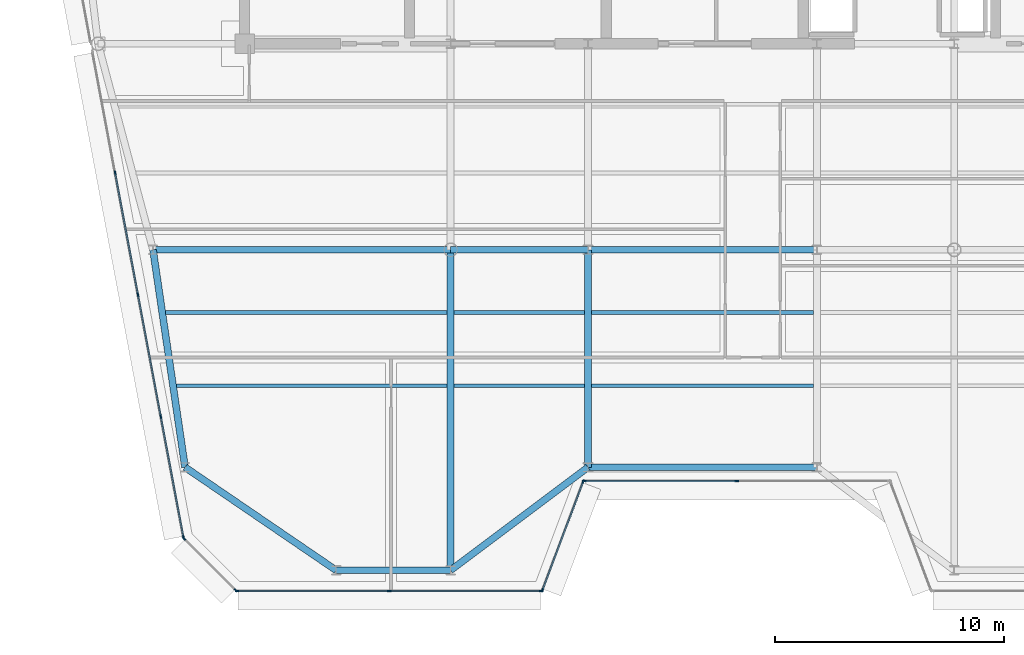
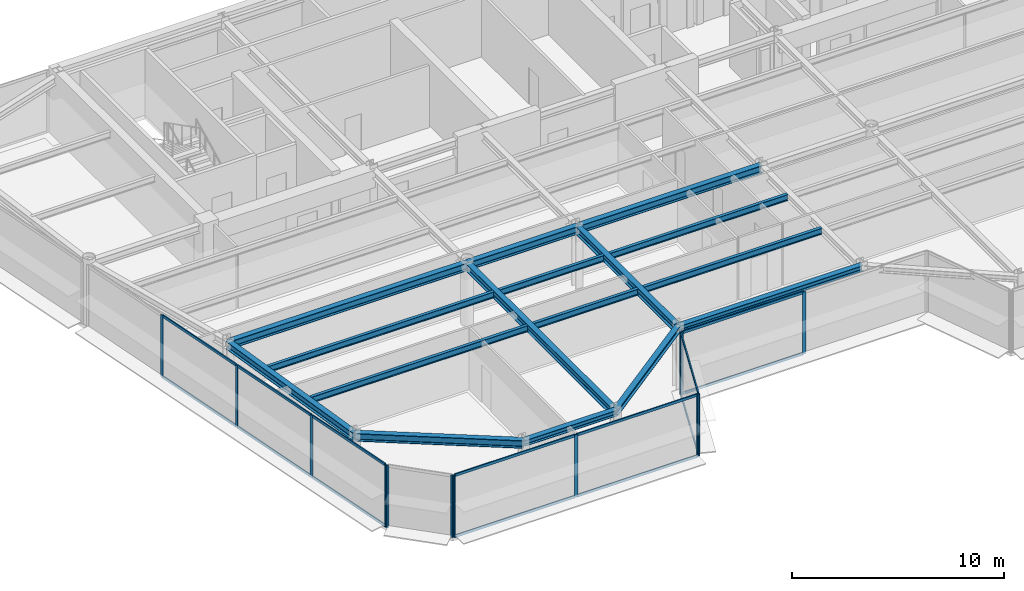
# One storey, part 3 of 20: 27 members, 16 beams, 5 elements without a shape of their own.
"""IFC4 building model written with IfcOpenShell, lengths in metres."""

from ifc_helpers import new_model, si_unit, direction, frame, origin, origin_2d, place, context, subcontext, project, spatial, rectangle, i_section, extrude, source, transform, mapped, material, layer, layer_set, material_profile, profile_set, type_object, element, aggregate, save


model = new_model("IFC4")

# Units and contexts
model_context = context("Model", 3, precision=1e-05, world=origin(), true_north=direction((0.0, 1.0)))
body_context = subcontext(model_context, "Body", "Model", "MODEL_VIEW")
ifc_project = project(units=[si_unit("LENGTHUNIT", "METRE"), si_unit("AREAUNIT", "SQUARE_METRE"), si_unit("VOLUMEUNIT", "CUBIC_METRE"), si_unit("PLANEANGLEUNIT", "RADIAN"), si_unit("MASSUNIT", "GRAM", prefix="KILO")], contexts=[model_context])

# Site, building, storey
site_placement = place(None, origin())
site = spatial("IfcSite", under=ifc_project, at=site_placement, CompositionType="ELEMENT")
building_placement = place(site_placement, origin())
building = spatial("IfcBuilding", under=site, at=building_placement, Name="Vaeldorn Concourse Tower", CompositionType="ELEMENT")
storey_placement = place(building_placement, frame((0.0, 0.0, 295.39990234375)))
storey = spatial("IfcBuildingStorey", under=building, at=storey_placement, Name="L76", CompositionType="ELEMENT", Elevation=295.39990234375)

# Beams
ifc_material_1 = material(Name="Steel S355", Category="steel")
ifc_material_profile_1 = material_profile(ifc_material_1, i_section(OverallWidth=0.300048828125, OverallDepth=0.449951171875, WebThickness=0.013916015625, FlangeThickness=0.02587890625, FilletRadius=0.027099609375, at=origin_2d()), Name="HEB 450")
ifc_profile_set_1 = profile_set([ifc_material_profile_1], Name="Steel S355")
beam_type_1 = type_object("IfcBeamType", Name="BM-PG-HEB450", PredefinedType="BEAM", material=ifc_profile_set_1)
shared_shape_1 = source(origin(), body_context, "Body", "SweptSolid", [
    extrude(i_section(OverallWidth=0.300048828125, OverallDepth=0.449951171875, WebThickness=0.013916015625, FlangeThickness=0.02587890625, FilletRadius=0.027099609375, at=origin_2d()), origin(), (0.0, 0.0, 1.0), 6.0),
])
beam_1_placement = place(storey_placement, frame((23.0, 27.5, 3.35498046875), z_axis=(1.0, 0.0, 0.0), x_axis=(0.0, 1.0, 0.0)))
element("IfcBeam", 1, at=beam_1_placement, inside=storey, type_object=beam_type_1, Name="Beam BM-L76-C-TW1-C-TW2", PredefinedType="BEAM", context=body_context, shape_type="MappedRepresentation", body=[
    mapped(shared_shape_1, transform((0.0, 0.0, 0.0), scale=1.0)),
])
shared_shape_2 = source(origin(), body_context, "Body", "SweptSolid", [
    extrude(i_section(OverallWidth=0.300048828125, OverallDepth=0.449951171875, WebThickness=0.013916015625, FlangeThickness=0.02587890625, FilletRadius=0.027099609375, at=origin_2d()), origin(), (0.0, 0.0, 1.0), 10.0),
])
beam_2_placement = place(storey_placement, frame((29.0, 27.5, 3.35498046875), z_axis=(1.0, 0.0, 0.0), x_axis=(0.0, 1.0, 0.0)))
element("IfcBeam", 2, at=beam_2_placement, inside=storey, type_object=beam_type_1, Name="Beam BM-L76-C-TW2-C-TW3", PredefinedType="BEAM", context=body_context, shape_type="MappedRepresentation", body=[
    mapped(shared_shape_2, transform((0.0, 0.0, 0.0), scale=1.0)),
])
ifc_material_profile_2 = material_profile(ifc_material_1, i_section(OverallWidth=0.169921875, OverallDepth=0.360107421875, WebThickness=0.008056640625, FlangeThickness=0.0126953125, FilletRadius=0.01806640625, at=origin_2d()), Name="IPE 360")
ifc_profile_set_2 = profile_set([ifc_material_profile_2], Name="Steel S355")
beam_type_2 = type_object("IfcBeamType", Name="BM-JS-IPE360", PredefinedType="JOIST", material=ifc_profile_set_2)
shared_shape_3 = source(origin(), body_context, "Body", "SweptSolid", [
    extrude(i_section(OverallWidth=0.169921875, OverallDepth=0.360107421875, WebThickness=0.008056640625, FlangeThickness=0.0126953125, FilletRadius=0.01806640625, at=origin_2d()), origin(), (0.0, 0.0, 1.0), 5.7001953125),
])
for number, where, z_axis, x_axis, name in (
    (3, (23.14990234375, 21.56005859375, 3.400146484375), (1.0, 0.0, 0.0), (0.0, 1.0, 0.0), "Beam JS-L76-W2-215"),
    (4, (23.14990234375, 24.760009765625, 3.400146484375), (1.0, 0.0, 0.0), (0.0, 1.0, 0.0), "Beam JS-L76-W2-247"),
):
    element("IfcBeam", number, at=place(storey_placement, frame(where, z_axis=z_axis, x_axis=x_axis)), inside=storey, type_object=beam_type_2, Name=name, PredefinedType="JOIST", context=body_context, shape_type="MappedRepresentation", body=[
        mapped(shared_shape_3, transform((0.0, 0.0, 0.0), scale=1.0)),
    ])
shared_shape_4 = source(origin(), body_context, "Body", "SweptSolid", [
    extrude(i_section(OverallWidth=0.169921875, OverallDepth=0.360107421875, WebThickness=0.008056640625, FlangeThickness=0.0126953125, FilletRadius=0.01806640625, at=origin_2d()), origin(), (0.0, 0.0, 1.0), 9.7001953125),
])
for number, where, z_axis, x_axis, name in (
    (5, (29.14990234375, 21.56005859375, 3.400146484375), (1.0, 0.0, 0.0), (0.0, 1.0, 0.0), "Beam JS-L76-C-215"),
    (6, (29.14990234375, 24.760009765625, 3.400146484375), (1.0, 0.0, 0.0), (0.0, 1.0, 0.0), "Beam JS-L76-C-247"),
):
    element("IfcBeam", number, at=place(storey_placement, frame(where, z_axis=z_axis, x_axis=x_axis)), inside=storey, type_object=beam_type_2, Name=name, PredefinedType="JOIST", context=body_context, shape_type="MappedRepresentation", body=[
        mapped(shared_shape_4, transform((0.0, 0.0, 0.0), scale=1.0)),
    ])
ifc_material_profile_3 = material_profile(ifc_material_1, i_section(OverallWidth=0.300048828125, OverallDepth=0.340087890625, WebThickness=0.011962890625, FlangeThickness=0.021484375, FilletRadius=0.027099609375, at=origin_2d()), Name="HEB 340")
ifc_profile_set_3 = profile_set([ifc_material_profile_3], Name="Steel S355")
beam_type_3 = type_object("IfcBeamType", Name="BM-SP-HEB340", PredefinedType="SPANDREL", material=ifc_profile_set_3)
shared_shape_5 = source(origin(), body_context, "Body", "SweptSolid", [
    extrude(i_section(OverallWidth=0.300048828125, OverallDepth=0.340087890625, WebThickness=0.011962890625, FlangeThickness=0.021484375, FilletRadius=0.027099609375, at=origin_2d()), origin(), (0.0, 0.0, 1.0), 5.0),
])
beam_3_placement = place(storey_placement, frame((18.0, 13.5, 3.41015625), z_axis=(1.0, 0.0, 0.0), x_axis=(0.0, 1.0, 0.0)))
element("IfcBeam", 7, at=beam_3_placement, inside=storey, type_object=beam_type_3, Name="Beam BM-L76-C-SF1-C-SF2", PredefinedType="SPANDREL", context=body_context, shape_type="MappedRepresentation", body=[
    mapped(shared_shape_5, transform((0.0, 0.0, 0.0), scale=1.0)),
])
shared_shape_6 = source(origin(), body_context, "Body", "SweptSolid", [
    extrude(i_section(OverallWidth=0.300048828125, OverallDepth=0.340087890625, WebThickness=0.011962890625, FlangeThickness=0.021484375, FilletRadius=0.027099609375, at=origin_2d()), origin(), (0.0, 0.0, 1.0), 7.5),
])
beam_4_placement = place(storey_placement, frame((23.0, 13.5, 3.41015625), z_axis=(0.8, 0.6, 0.0), x_axis=(-0.6, 0.8, 0.0)))
element("IfcBeam", 8, at=beam_4_placement, inside=storey, type_object=beam_type_3, Name="Beam BM-L76-C-SF2-C-SF3", PredefinedType="SPANDREL", context=body_context, shape_type="MappedRepresentation", body=[
    mapped(shared_shape_6, transform((0.0, 0.0, 0.0), scale=1.0)),
])
shared_shape_7 = source(origin(), body_context, "Body", "SweptSolid", [
    extrude(i_section(OverallWidth=0.300048828125, OverallDepth=0.340087890625, WebThickness=0.011962890625, FlangeThickness=0.021484375, FilletRadius=0.027099609375, at=origin_2d()), origin(), (0.0, 0.0, 1.0), 10.0),
])
beam_5_placement = place(storey_placement, frame((29.0, 18.0, 3.41015625), z_axis=(1.0, 0.0, 0.0), x_axis=(0.0, 1.0, 0.0)))
element("IfcBeam", 9, at=beam_5_placement, inside=storey, type_object=beam_type_3, Name="Beam BM-L76-C-SF3-C-SF4", PredefinedType="SPANDREL", context=body_context, shape_type="MappedRepresentation", body=[
    mapped(shared_shape_7, transform((0.0, 0.0, 0.0), scale=1.0)),
])
shared_shape_8 = source(origin(), body_context, "Body", "SweptSolid", [
    extrude(i_section(OverallWidth=0.169921875, OverallDepth=0.360107421875, WebThickness=0.008056640625, FlangeThickness=0.0126953125, FilletRadius=0.01806640625, at=origin_2d()), origin(), (0.0, 0.0, 1.0), 11.82470703125),
])
beam_6_placement = place(storey_placement, frame((11.025390625, 21.56005859375, 3.400146484375), z_axis=(1.0, 0.0, 0.0), x_axis=(0.0, 1.0, 0.0)))
element("IfcBeam", 10, at=beam_6_placement, inside=storey, type_object=beam_type_2, Name="Beam JS-L76-W1-215", PredefinedType="JOIST", context=body_context, shape_type="MappedRepresentation", body=[
    mapped(shared_shape_8, transform((0.0, 0.0, 0.0), scale=1.0)),
])
shared_shape_9 = source(origin(), body_context, "Body", "SweptSolid", [
    extrude(i_section(OverallWidth=0.169921875, OverallDepth=0.360107421875, WebThickness=0.008056640625, FlangeThickness=0.0126953125, FilletRadius=0.01806640625, at=origin_2d()), origin(), (0.0, 0.0, 1.0), 12.29638671875),
])
beam_7_placement = place(storey_placement, frame((10.5537109375, 24.760009765625, 3.400146484375), z_axis=(1.0, 0.0, 0.0), x_axis=(0.0, 1.0, 0.0)))
element("IfcBeam", 11, at=beam_7_placement, inside=storey, type_object=beam_type_2, Name="Beam JS-L76-W1-247", PredefinedType="JOIST", context=body_context, shape_type="MappedRepresentation", body=[
    mapped(shared_shape_9, transform((0.0, 0.0, 0.0), scale=1.0)),
])
shared_shape_10 = source(origin(), body_context, "Body", "SweptSolid", [
    extrude(i_section(OverallWidth=0.300048828125, OverallDepth=0.449951171875, WebThickness=0.013916015625, FlangeThickness=0.02587890625, FilletRadius=0.027099609375, at=origin_2d()), origin(), (0.0, 0.0, 1.0), 14.0),
])
beam_8_placement = place(storey_placement, frame((23.0, 13.5, 3.35498046875), z_axis=(0.0, 1.0, 0.0), x_axis=(-1.0, 0.0, 0.0)))
element("IfcBeam", 12, at=beam_8_placement, inside=storey, type_object=beam_type_1, Name="Beam BM-L76-C-SF2-C-TW1", PredefinedType="BEAM", context=body_context, shape_type="MappedRepresentation", body=[
    mapped(shared_shape_10, transform((0.0, 0.0, 0.0), scale=1.0)),
])
shared_shape_11 = source(origin(), body_context, "Body", "SweptSolid", [
    extrude(i_section(OverallWidth=0.300048828125, OverallDepth=0.449951171875, WebThickness=0.013916015625, FlangeThickness=0.02587890625, FilletRadius=0.027099609375, at=origin_2d()), origin(), (0.0, 0.0, 1.0), 13.0),
])
beam_9_placement = place(storey_placement, frame((10.0, 27.5, 3.35498046875), z_axis=(1.0, 0.0, 0.0), x_axis=(0.0, 1.0, 0.0)))
element("IfcBeam", 13, at=beam_9_placement, inside=storey, type_object=beam_type_1, Name="Beam BM-L76-C-FLW1-C-TW1", PredefinedType="BEAM", context=body_context, shape_type="MappedRepresentation", body=[
    mapped(shared_shape_11, transform((0.0, 0.0, 0.0), scale=1.0)),
])
shared_shape_12 = source(origin(), body_context, "Body", "SweptSolid", [
    extrude(i_section(OverallWidth=0.300048828125, OverallDepth=0.449951171875, WebThickness=0.013916015625, FlangeThickness=0.02587890625, FilletRadius=0.027099609375, at=origin_2d()), origin(), (0.0, 0.0, 1.0), 9.6025390625),
])
beam_10_placement = place(storey_placement, frame((10.0, 27.5, 3.35498046875), z_axis=(0.145783835977, -0.989316467652, 0.0), x_axis=(0.989316467652, 0.145783835977, 0.0)))
element("IfcBeam", 14, at=beam_10_placement, inside=storey, type_object=beam_type_1, Name="Beam BM-L76-C-FLW1-C-FLW2", PredefinedType="BEAM", context=body_context, shape_type="MappedRepresentation", body=[
    mapped(shared_shape_12, transform((0.0, 0.0, 0.0), scale=1.0)),
])
shared_shape_13 = source(origin(), body_context, "Body", "SweptSolid", [
    extrude(i_section(OverallWidth=0.300048828125, OverallDepth=0.449951171875, WebThickness=0.013916015625, FlangeThickness=0.02587890625, FilletRadius=0.027099609375, at=origin_2d()), origin(), (0.0, 0.0, 1.0), 7.98828125),
])
beam_11_placement = place(storey_placement, frame((18.0, 13.5, 3.35498046875), z_axis=(-0.826231222393, 0.56333113454, 0.0), x_axis=(-0.56333113454, -0.826231222393, 0.0)))
element("IfcBeam", 15, at=beam_11_placement, inside=storey, type_object=beam_type_1, Name="Beam BM-L76-C-SF1-C-FLW2", PredefinedType="BEAM", context=body_context, shape_type="MappedRepresentation", body=[
    mapped(shared_shape_13, transform((0.0, 0.0, 0.0), scale=1.0)),
])
shared_shape_14 = source(origin(), body_context, "Body", "SweptSolid", [
    extrude(i_section(OverallWidth=0.300048828125, OverallDepth=0.449951171875, WebThickness=0.013916015625, FlangeThickness=0.02587890625, FilletRadius=0.027099609375, at=origin_2d()), origin(), (0.0, 0.0, 1.0), 9.5),
])
beam_12_placement = place(storey_placement, frame((29.0, 18.0, 3.35498046875), z_axis=(0.0, 1.0, 0.0), x_axis=(-1.0, 0.0, 0.0)))
element("IfcBeam", 16, at=beam_12_placement, inside=storey, type_object=beam_type_1, Name="Beam BM-L76-C-SF3-C-TW2", PredefinedType="BEAM", context=body_context, shape_type="MappedRepresentation", body=[
    mapped(shared_shape_14, transform((0.0, 0.0, 0.0), scale=1.0)),
])

# Curtain wall, members
ifc_material_2 = material(Name="Anodised Bronze Aluminium", Category="aluminium")
ifc_layer = layer(ifc_material_2, 0.179931640625)
ifc_layer_set = layer_set([ifc_layer], Name="Anodised Bronze Aluminium")
curtain_wall_type = type_object("IfcCurtainWallType", Name="CW-SYS-05", PredefinedType="NOTDEFINED", material=ifc_layer_set)
curtain_wall_1_placement = place(storey_placement, origin())
curtain_wall_1 = element("IfcCurtainWall", 17, at=curtain_wall_1_placement, inside=storey, type_object=curtain_wall_type, Name="Unitised Curtain Wall CW-L76-E02-1", PredefinedType="NOTDEFINED")
ifc_material_profile_4 = material_profile(ifc_material_2, rectangle(XDim=0.06494140625, YDim=0.14990234375, at=origin_2d()), Name="CWT 65x150")
ifc_profile_set_4 = profile_set([ifc_material_profile_4], Name="Anodised Bronze Aluminium")
member_type_1 = type_object("IfcMemberType", Name="CWT-BRONZE-150", PredefinedType="USERDEFINED", material=ifc_profile_set_4)
shared_shape_15 = source(origin(), body_context, "Body", "SweptSolid", [
    extrude(rectangle(XDim=0.06494140625, YDim=0.14990234375, at=origin_2d()), origin(), (0.0, 0.0, 1.0), 4.996337890625),
])
member_1_placement = place(storey_placement, frame((27.022705078125, 12.660888671875, 0.03271484375), z_axis=(0.351134151405, 0.936325161318, 0.0), x_axis=(-0.936325161318, 0.351134151405, 0.0)))
member_1 = element("IfcMember", 18, at=member_1_placement, type_object=member_type_1, Name="CW-05 transom 1.1", ObjectType="TRANSOM", PredefinedType="USERDEFINED", context=body_context, shape_type="MappedRepresentation", body=[
    mapped(shared_shape_15, transform((0.0, 0.0, 0.0), scale=1.0)),
])
member_2_placement = place(storey_placement, frame((27.022705078125, 12.660888671875, 3.547607421875), z_axis=(0.351134151405, 0.936325161318, 0.0), x_axis=(-0.936325161318, 0.351134151405, 0.0)))
member_2 = element("IfcMember", 19, at=member_2_placement, type_object=member_type_1, Name="CW-05 transom 1.2", ObjectType="TRANSOM", PredefinedType="USERDEFINED", context=body_context, shape_type="MappedRepresentation", body=[
    mapped(shared_shape_15, transform((0.0, 0.0, 0.0), scale=1.0)),
])

curtain_wall_2_placement = place(storey_placement, origin())
curtain_wall_2 = element("IfcCurtainWall", 20, at=curtain_wall_2_placement, inside=storey, type_object=curtain_wall_type, Name="Unitised Curtain Wall CW-L76-E03-1", PredefinedType="NOTDEFINED")
shared_shape_16 = source(origin(), body_context, "Body", "SweptSolid", [
    extrude(rectangle(XDim=0.06494140625, YDim=0.14990234375, at=origin_2d()), origin(), (0.0, 0.0, 1.0), 6.6025390625),
])
member_3_placement = place(storey_placement, frame((28.864990234375, 17.39990234375, 0.03271484375), z_axis=(1.0, 0.0, 0.0), x_axis=(0.0, 1.0, 0.0)))
member_3 = element("IfcMember", 21, at=member_3_placement, type_object=member_type_1, Name="CW-05 transom 1.1", ObjectType="TRANSOM", PredefinedType="USERDEFINED", context=body_context, shape_type="MappedRepresentation", body=[
    mapped(shared_shape_16, transform((0.0, 0.0, 0.0), scale=1.0)),
])
member_4_placement = place(storey_placement, frame((28.864990234375, 17.39990234375, 3.547607421875), z_axis=(1.0, 0.0, 0.0), x_axis=(0.0, 1.0, 0.0)))
member_4 = element("IfcMember", 22, at=member_4_placement, type_object=member_type_1, Name="CW-05 transom 1.2", ObjectType="TRANSOM", PredefinedType="USERDEFINED", context=body_context, shape_type="MappedRepresentation", body=[
    mapped(shared_shape_16, transform((0.0, 0.0, 0.0), scale=1.0)),
])

curtain_wall_3_placement = place(storey_placement, origin())
curtain_wall_3 = element("IfcCurtainWall", 23, at=curtain_wall_3_placement, inside=storey, type_object=curtain_wall_type, Name="Unitised Curtain Wall CW-L76-E01-1", PredefinedType="NOTDEFINED")
ifc_material_profile_5 = material_profile(ifc_material_2, rectangle(XDim=0.06494140625, YDim=0.169921875, at=origin_2d()), Name="CWM 65x170")
ifc_profile_set_5 = profile_set([ifc_material_profile_5], Name="Anodised Bronze Aluminium")
member_type_2 = type_object("IfcMemberType", Name="CWM-BRONZE-170", PredefinedType="MULLION", material=ifc_profile_set_5)
shared_shape_17 = source(origin(), body_context, "Body", "SweptSolid", [
    extrude(rectangle(XDim=0.06494140625, YDim=0.169921875, at=origin_2d()), origin(), (0.0, 0.0, 1.0), 3.580078125),
])
member_5_placement = place(storey_placement, frame((13.66845703125, 12.60009765625, 0.0), z_axis=(0.0, 0.0, 1.0), x_axis=(0.0, 1.0, 0.0)))
member_5 = element("IfcMember", 24, at=member_5_placement, type_object=member_type_2, Name="CW-05 mullion 1", PredefinedType="MULLION", context=body_context, shape_type="MappedRepresentation", body=[
    mapped(shared_shape_17, transform((0.0, 0.0, 0.0), scale=1.0)),
])
member_6_placement = place(storey_placement, frame((20.318115234375, 12.60009765625, 0.0), z_axis=(0.0, 0.0, 1.0), x_axis=(0.0, 1.0, 0.0)))
member_6 = element("IfcMember", 25, at=member_6_placement, type_object=member_type_2, Name="CW-05 mullion 2", PredefinedType="MULLION", context=body_context, shape_type="MappedRepresentation", body=[
    mapped(shared_shape_17, transform((0.0, 0.0, 0.0), scale=1.0)),
])
member_7_placement = place(storey_placement, frame((26.967529296875, 12.60009765625, 0.0), z_axis=(0.0, 0.0, 1.0), x_axis=(0.0, 1.0, 0.0)))
member_7 = element("IfcMember", 26, at=member_7_placement, type_object=member_type_2, Name="CW-05 mullion 3", PredefinedType="MULLION", context=body_context, shape_type="MappedRepresentation", body=[
    mapped(shared_shape_17, transform((0.0, 0.0, 0.0), scale=1.0)),
])

# Member
member_8_placement = place(storey_placement, frame((27.011474609375, 12.63037109375, 0.0), z_axis=(0.0, 0.0, 1.0), x_axis=(-0.936329177566, 0.351123441595, 0.0)))
member_8 = element("IfcMember", 27, at=member_8_placement, type_object=member_type_2, Name="CW-05 mullion 1", PredefinedType="MULLION", context=body_context, shape_type="MappedRepresentation", body=[
    mapped(shared_shape_17, transform((0.0, 0.0, 0.0), scale=1.0)),
])

member_9_placement = place(storey_placement, frame((28.78857421875, 17.36962890625, 0.0), z_axis=(0.0, 0.0, 1.0), x_axis=(-0.936329177566, 0.351123441595, 0.0)))
member_9 = element("IfcMember", 28, at=member_9_placement, type_object=member_type_2, Name="CW-05 mullion 2", PredefinedType="MULLION", context=body_context, shape_type="MappedRepresentation", body=[
    mapped(shared_shape_17, transform((0.0, 0.0, 0.0), scale=1.0)),
])

aggregate(curtain_wall_1, [member_8, member_9, member_1, member_2])

member_10_placement = place(storey_placement, frame((28.83251953125, 17.39990234375, 0.0), z_axis=(0.0, 0.0, 1.0), x_axis=(0.0, 1.0, 0.0)))
member_10 = element("IfcMember", 29, at=member_10_placement, type_object=member_type_2, Name="CW-05 mullion 1", PredefinedType="MULLION", context=body_context, shape_type="MappedRepresentation", body=[
    mapped(shared_shape_17, transform((0.0, 0.0, 0.0), scale=1.0)),
])

member_11_placement = place(storey_placement, frame((35.5, 17.39990234375, 0.0), z_axis=(0.0, 0.0, 1.0), x_axis=(0.0, 1.0, 0.0)))
member_11 = element("IfcMember", 30, at=member_11_placement, type_object=member_type_2, Name="CW-05 mullion 2", PredefinedType="MULLION", context=body_context, shape_type="MappedRepresentation", body=[
    mapped(shared_shape_17, transform((0.0, 0.0, 0.0), scale=1.0)),
])

aggregate(curtain_wall_2, [member_10, member_11, member_3, member_4])

# Curtain wall, members
curtain_wall_4_placement = place(storey_placement, origin())
curtain_wall_4 = element("IfcCurtainWall", 31, at=curtain_wall_4_placement, inside=storey, type_object=curtain_wall_type, Name="Unitised Curtain Wall CW-L76-E11-2", PredefinedType="NOTDEFINED")
member_12_placement = place(storey_placement, frame((8.343505859375, 30.86376953125, 0.0), z_axis=(0.0, 0.0, 1.0), x_axis=(0.982880027444, 0.184246714088, 0.0)))
member_12 = element("IfcMember", 32, at=member_12_placement, type_object=member_type_2, Name="CW-05 mullion 2", PredefinedType="MULLION", context=body_context, shape_type="MappedRepresentation", body=[
    mapped(shared_shape_17, transform((0.0, 0.0, 0.0), scale=1.0)),
])
member_13_placement = place(storey_placement, frame((9.341064453125, 25.54248046875, 0.0), z_axis=(0.0, 0.0, 1.0), x_axis=(0.982880027444, 0.184246714088, 0.0)))
member_13 = element("IfcMember", 33, at=member_13_placement, type_object=member_type_2, Name="CW-05 mullion 3", PredefinedType="MULLION", context=body_context, shape_type="MappedRepresentation", body=[
    mapped(shared_shape_17, transform((0.0, 0.0, 0.0), scale=1.0)),
])
member_14_placement = place(storey_placement, frame((10.33837890625, 20.22119140625, 0.0), z_axis=(0.0, 0.0, 1.0), x_axis=(0.982880027444, 0.184246714088, 0.0)))
member_14 = element("IfcMember", 34, at=member_14_placement, type_object=member_type_2, Name="CW-05 mullion 4", PredefinedType="MULLION", context=body_context, shape_type="MappedRepresentation", body=[
    mapped(shared_shape_17, transform((0.0, 0.0, 0.0), scale=1.0)),
])
member_15_placement = place(storey_placement, frame((11.330078125, 14.931884765625, 0.0), z_axis=(0.0, 0.0, 1.0), x_axis=(0.982880027444, 0.184246714088, 0.0)))
member_15 = element("IfcMember", 35, at=member_15_placement, type_object=member_type_2, Name="CW-05 mullion 5", PredefinedType="MULLION", context=body_context, shape_type="MappedRepresentation", body=[
    mapped(shared_shape_17, transform((0.0, 0.0, 0.0), scale=1.0)),
])

curtain_wall_5_placement = place(storey_placement, origin())
curtain_wall_5 = element("IfcCurtainWall", 36, at=curtain_wall_5_placement, inside=storey, type_object=curtain_wall_type, Name="Unitised Curtain Wall CW-L76-E12-1", PredefinedType="NOTDEFINED")
member_16_placement = place(storey_placement, frame((11.35888671875, 14.876953125, 0.0), z_axis=(0.0, 0.0, 1.0), x_axis=(0.707106781187, 0.707106781187, 0.0)))
member_16 = element("IfcMember", 37, at=member_16_placement, type_object=member_type_2, Name="CW-05 mullion 1", PredefinedType="MULLION", context=body_context, shape_type="MappedRepresentation", body=[
    mapped(shared_shape_17, transform((0.0, 0.0, 0.0), scale=1.0)),
])
member_17_placement = place(storey_placement, frame((13.613037109375, 12.623046875, 0.0), z_axis=(0.0, 0.0, 1.0), x_axis=(0.707106781187, 0.707106781187, 0.0)))
member_17 = element("IfcMember", 38, at=member_17_placement, type_object=member_type_2, Name="CW-05 mullion 2", PredefinedType="MULLION", context=body_context, shape_type="MappedRepresentation", body=[
    mapped(shared_shape_17, transform((0.0, 0.0, 0.0), scale=1.0)),
])
aggregate(curtain_wall_5, [member_16, member_17])

# Member
shared_shape_18 = source(origin(), body_context, "Body", "SweptSolid", [
    extrude(rectangle(XDim=0.06494140625, YDim=0.14990234375, at=origin_2d()), origin(), (0.0, 0.0, 1.0), 5.31640625),
])
member_18_placement = place(storey_placement, frame((10.344482421875, 20.189208984375, 0.03271484375), z_axis=(0.184241399207, -0.982881023735, 0.0), x_axis=(0.982881023735, 0.184241399207, 0.0)))
member_18 = element("IfcMember", 39, at=member_18_placement, type_object=member_type_1, Name="CW-05 transom 4.1", ObjectType="TRANSOM", PredefinedType="USERDEFINED", context=body_context, shape_type="MappedRepresentation", body=[
    mapped(shared_shape_18, transform((0.0, 0.0, 0.0), scale=1.0)),
])

member_19_placement = place(storey_placement, frame((10.344482421875, 20.189208984375, 3.547607421875), z_axis=(0.184241399207, -0.982881023735, 0.0), x_axis=(0.982881023735, 0.184241399207, 0.0)))
member_19 = element("IfcMember", 40, at=member_19_placement, type_object=member_type_1, Name="CW-05 transom 4.2", ObjectType="TRANSOM", PredefinedType="USERDEFINED", context=body_context, shape_type="MappedRepresentation", body=[
    mapped(shared_shape_18, transform((0.0, 0.0, 0.0), scale=1.0)),
])

shared_shape_19 = source(origin(), body_context, "Body", "SweptSolid", [
    extrude(rectangle(XDim=0.06494140625, YDim=0.14990234375, at=origin_2d()), origin(), (0.0, 0.0, 1.0), 5.348876953125),
])
member_20_placement = place(storey_placement, frame((8.349609375, 30.831787109375, 0.03271484375), z_axis=(0.184216882988, -0.982885618993, 0.0), x_axis=(0.982885618993, 0.184216882988, 0.0)))
member_20 = element("IfcMember", 41, at=member_20_placement, type_object=member_type_1, Name="CW-05 transom 2.1", ObjectType="TRANSOM", PredefinedType="USERDEFINED", context=body_context, shape_type="MappedRepresentation", body=[
    mapped(shared_shape_19, transform((0.0, 0.0, 0.0), scale=1.0)),
])

member_21_placement = place(storey_placement, frame((8.349609375, 30.831787109375, 3.547607421875), z_axis=(0.184216882988, -0.982885618993, 0.0), x_axis=(0.982885618993, 0.184216882988, 0.0)))
member_21 = element("IfcMember", 42, at=member_21_placement, type_object=member_type_1, Name="CW-05 transom 2.2", ObjectType="TRANSOM", PredefinedType="USERDEFINED", context=body_context, shape_type="MappedRepresentation", body=[
    mapped(shared_shape_19, transform((0.0, 0.0, 0.0), scale=1.0)),
])

member_22_placement = place(storey_placement, frame((9.346923828125, 25.510498046875, 0.03271484375), z_axis=(0.184260976912, -0.982877353685, 0.0), x_axis=(0.982877353685, 0.184260976912, 0.0)))
member_22 = element("IfcMember", 43, at=member_22_placement, type_object=member_type_1, Name="CW-05 transom 3.1", ObjectType="TRANSOM", PredefinedType="USERDEFINED", context=body_context, shape_type="MappedRepresentation", body=[
    mapped(shared_shape_19, transform((0.0, 0.0, 0.0), scale=1.0)),
])

member_23_placement = place(storey_placement, frame((9.346923828125, 25.510498046875, 3.547607421875), z_axis=(0.184260976912, -0.982877353685, 0.0), x_axis=(0.982877353685, 0.184260976912, 0.0)))
member_23 = element("IfcMember", 44, at=member_23_placement, type_object=member_type_1, Name="CW-05 transom 3.2", ObjectType="TRANSOM", PredefinedType="USERDEFINED", context=body_context, shape_type="MappedRepresentation", body=[
    mapped(shared_shape_19, transform((0.0, 0.0, 0.0), scale=1.0)),
])

aggregate(curtain_wall_4, [member_12, member_13, member_14, member_15, member_20, member_21, member_22, member_23, member_18, member_19])

shared_shape_20 = source(origin(), body_context, "Body", "SweptSolid", [
    extrude(rectangle(XDim=0.06494140625, YDim=0.14990234375, at=origin_2d()), origin(), (0.0, 0.0, 1.0), 6.58447265625),
])
member_24_placement = place(storey_placement, frame((13.700927734375, 12.60009765625, 0.03271484375), z_axis=(1.0, 0.0, 0.0), x_axis=(0.0, 1.0, 0.0)))
member_24 = element("IfcMember", 45, at=member_24_placement, type_object=member_type_1, Name="CW-05 transom 1.1", ObjectType="TRANSOM", PredefinedType="USERDEFINED", context=body_context, shape_type="MappedRepresentation", body=[
    mapped(shared_shape_20, transform((0.0, 0.0, 0.0), scale=1.0)),
])

member_25_placement = place(storey_placement, frame((13.700927734375, 12.60009765625, 3.547607421875), z_axis=(1.0, 0.0, 0.0), x_axis=(0.0, 1.0, 0.0)))
member_25 = element("IfcMember", 46, at=member_25_placement, type_object=member_type_1, Name="CW-05 transom 1.2", ObjectType="TRANSOM", PredefinedType="USERDEFINED", context=body_context, shape_type="MappedRepresentation", body=[
    mapped(shared_shape_20, transform((0.0, 0.0, 0.0), scale=1.0)),
])

member_26_placement = place(storey_placement, frame((20.3505859375, 12.60009765625, 0.03271484375), z_axis=(1.0, 0.0, 0.0), x_axis=(0.0, 1.0, 0.0)))
member_26 = element("IfcMember", 47, at=member_26_placement, type_object=member_type_1, Name="CW-05 transom 2.1", ObjectType="TRANSOM", PredefinedType="USERDEFINED", context=body_context, shape_type="MappedRepresentation", body=[
    mapped(shared_shape_20, transform((0.0, 0.0, 0.0), scale=1.0)),
])

member_27_placement = place(storey_placement, frame((20.3505859375, 12.60009765625, 3.547607421875), z_axis=(1.0, 0.0, 0.0), x_axis=(0.0, 1.0, 0.0)))
member_27 = element("IfcMember", 48, at=member_27_placement, type_object=member_type_1, Name="CW-05 transom 2.2", ObjectType="TRANSOM", PredefinedType="USERDEFINED", context=body_context, shape_type="MappedRepresentation", body=[
    mapped(shared_shape_20, transform((0.0, 0.0, 0.0), scale=1.0)),
])

aggregate(curtain_wall_3, [member_5, member_6, member_7, member_24, member_25, member_26, member_27])

save(model, "model.ifc")
